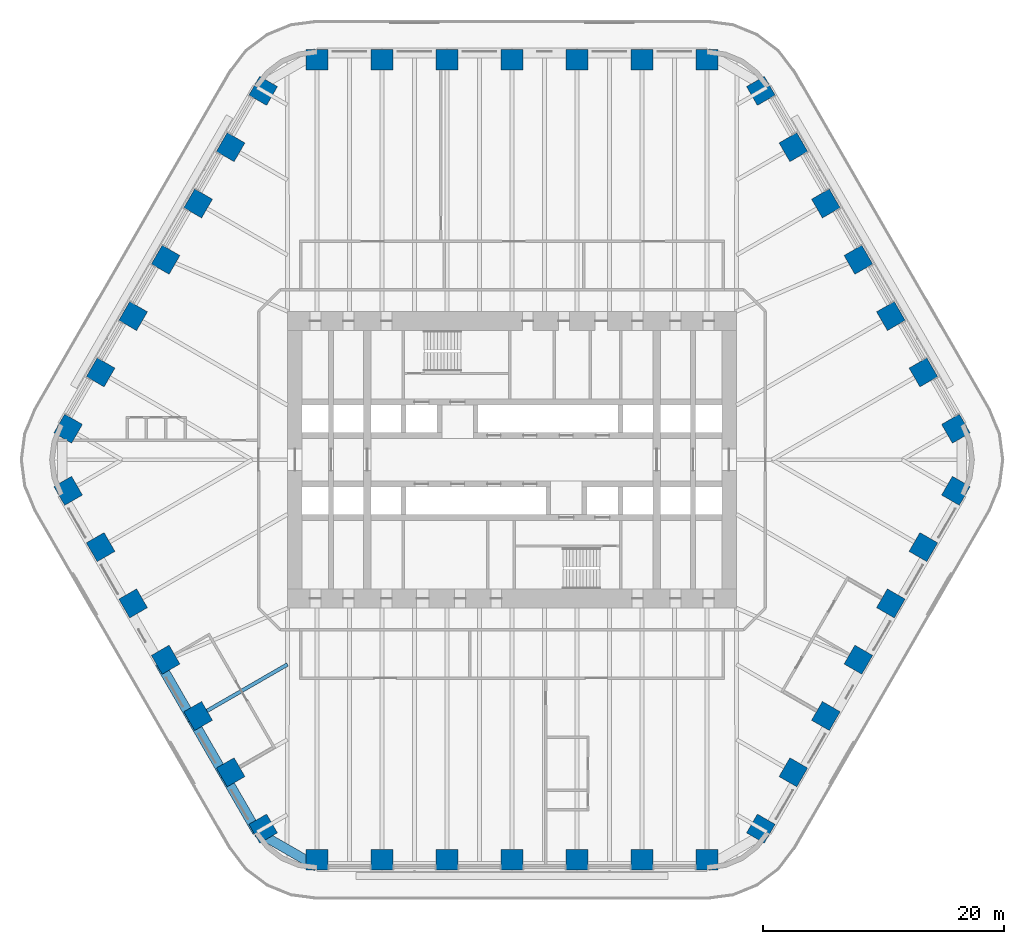
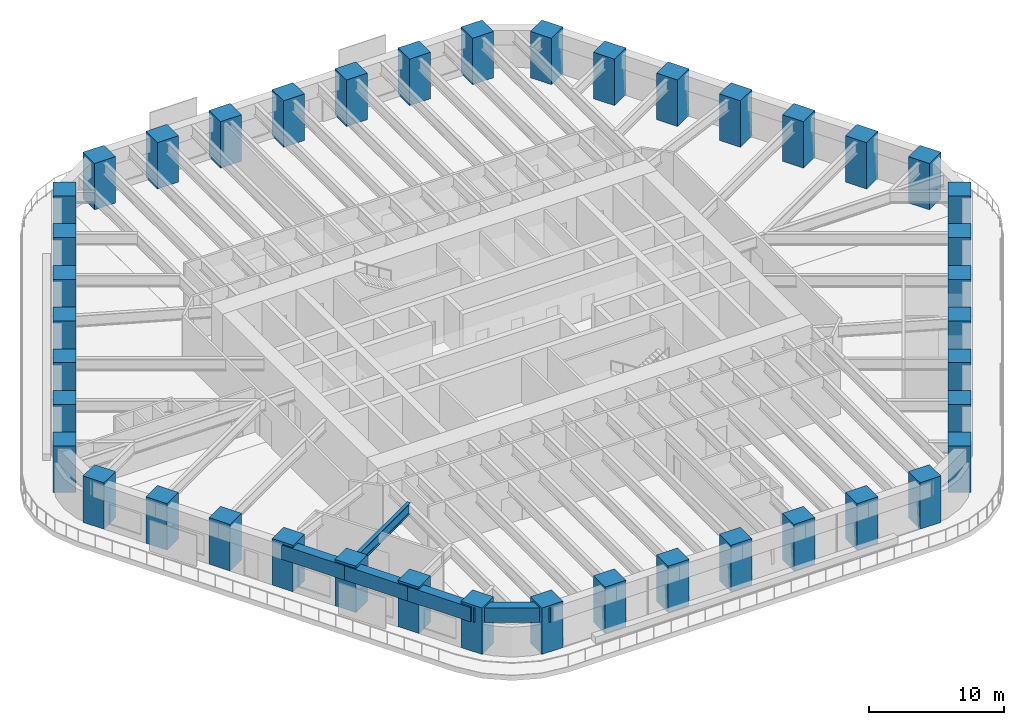
# One storey, part 1 of 23: 42 columns, 5 beams.
"""IFC4 building model written with IfcOpenShell, lengths in metres."""

from ifc_helpers import new_model, si_unit, direction, frame, origin, origin_2d, place, context, subcontext, project, spatial, rectangle, i_section, extrude, material, material_profile, profile_set, type_object, element, save


model = new_model("IFC4")

# Units and contexts
model_context = context("Model", 3, precision=1e-05, world=origin(), true_north=direction((0.0, 1.0)))
body_context = subcontext(model_context, "Body", "Model", "MODEL_VIEW")
ifc_project = project(units=[si_unit("LENGTHUNIT", "METRE"), si_unit("AREAUNIT", "SQUARE_METRE"), si_unit("VOLUMEUNIT", "CUBIC_METRE"), si_unit("PLANEANGLEUNIT", "RADIAN"), si_unit("MASSUNIT", "GRAM", prefix="KILO")], contexts=[model_context])

# Site, building, storey
site_placement = place(None, origin())
site = spatial("IfcSite", under=ifc_project, at=site_placement, CompositionType="ELEMENT")
building_placement = place(site_placement, origin())
building = spatial("IfcBuilding", under=site, at=building_placement, Name="Tarfa Lantern Tower", CompositionType="ELEMENT")
storey_placement = place(building_placement, frame((0.0, 0.0, 86.5)))
storey = spatial("IfcBuildingStorey", under=building, at=storey_placement, Name="L19", CompositionType="ELEMENT", Elevation=86.5)

# Columns
ifc_material_1 = material(Name="Concrete C80/95", Category="concrete")
ifc_material_profile_1 = material_profile(ifc_material_1, rectangle(XDim=1.800048828125, YDim=1.699951171875, at=origin_2d()), Name="RC 1800x1700")
ifc_profile_set_1 = profile_set([ifc_material_profile_1], Name="Concrete C80/95")
column_type = type_object("IfcColumnType", Name="TC4 RC 1800x1700", PredefinedType="COLUMN", material=ifc_profile_set_1)
for number, where, z_axis, x_axis, name in (
    (1, (36.791748046875, 2.574951171875, 0.0), (0.0, 0.0, 1.0), (-0.5, 0.866025403784, 0.0), "Tube column NE0"),
    (2, (34.097412109375, 7.24169921875, 0.0), (0.0, 0.0, 1.0), (-0.5, 0.866025403784, 0.0), "Tube column NE1"),
    (3, (31.403076171875, 11.908447265625, 0.0), (0.0, 0.0, 1.0), (-0.5, 0.866025403784, 0.0), "Tube column NE2"),
    (4, (28.708740234375, 16.574951171875, 0.0), (0.0, 0.0, 1.0), (-0.5, 0.866025403784, 0.0), "Tube column NE3"),
    (5, (26.014404296875, 21.24169921875, 0.0), (0.0, 0.0, 1.0), (-0.5, 0.866025403784, 0.0), "Tube column NE4"),
    (6, (23.320068359375, 25.908447265625, 0.0), (0.0, 0.0, 1.0), (-0.5, 0.866025403784, 0.0), "Tube column NE5"),
    (7, (20.625732421875, 30.574951171875, 0.0), (0.0, 0.0, 1.0), (-0.5, 0.866025403784, 0.0), "Tube column NE6"),
    (8, (16.165771484375, 33.14990234375, 0.0), (0.0, 0.0, 1.0), (-1.0, 0.0, 0.0), "Tube column N0"),
    (9, (10.777099609375, 33.14990234375, 0.0), (0.0, 0.0, 1.0), (-1.0, 0.0, 0.0), "Tube column N1"),
    (10, (5.388671875, 33.14990234375, 0.0), (0.0, 0.0, 1.0), (-1.0, 0.0, 0.0), "Tube column N2"),
    (11, (0.0, 33.14990234375, 0.0), (0.0, 0.0, 1.0), (-1.0, 0.0, 0.0), "Tube column N3"),
    (12, (-5.388671875, 33.14990234375, 0.0), (0.0, 0.0, 1.0), (-1.0, 0.0, 0.0), "Tube column N4"),
    (13, (-10.777099609375, 33.14990234375, 0.0), (0.0, 0.0, 1.0), (-1.0, 0.0, 0.0), "Tube column N5"),
    (14, (-16.165771484375, 33.14990234375, 0.0), (0.0, 0.0, 1.0), (-1.0, 0.0, 0.0), "Tube column N6"),
    (15, (-20.625732421875, 30.574951171875, 0.0), (0.0, 0.0, 1.0), (-0.5, -0.866025403784, 0.0), "Tube column NW0"),
    (16, (-23.320068359375, 25.908447265625, 0.0), (0.0, 0.0, 1.0), (-0.5, -0.866025403784, 0.0), "Tube column NW1"),
    (17, (-26.014404296875, 21.24169921875, 0.0), (0.0, 0.0, 1.0), (-0.5, -0.866025403784, 0.0), "Tube column NW2"),
    (18, (-28.708740234375, 16.574951171875, 0.0), (0.0, 0.0, 1.0), (-0.5, -0.866025403784, 0.0), "Tube column NW3"),
    (19, (-31.403076171875, 11.908447265625, 0.0), (0.0, 0.0, 1.0), (-0.5, -0.866025403784, 0.0), "Tube column NW4"),
    (20, (-34.097412109375, 7.24169921875, 0.0), (0.0, 0.0, 1.0), (-0.5, -0.866025403784, 0.0), "Tube column NW5"),
    (21, (-36.791748046875, 2.574951171875, 0.0), (0.0, 0.0, 1.0), (-0.5, -0.866025403784, 0.0), "Tube column NW6"),
    (22, (-36.791748046875, -2.574951171875, 0.0), (0.0, 0.0, 1.0), (0.5, -0.866025403784, 0.0), "Tube column SW0"),
    (23, (-34.097412109375, -7.24169921875, 0.0), (0.0, 0.0, 1.0), (0.5, -0.866025403784, 0.0), "Tube column SW1"),
    (24, (-31.403076171875, -11.908447265625, 0.0), (0.0, 0.0, 1.0), (0.5, -0.866025403784, 0.0), "Tube column SW2"),
    (25, (-28.708740234375, -16.574951171875, 0.0), (0.0, 0.0, 1.0), (0.5, -0.866025403784, 0.0), "Tube column SW3"),
    (26, (-26.014404296875, -21.24169921875, 0.0), (0.0, 0.0, 1.0), (0.5, -0.866025403784, 0.0), "Tube column SW4"),
    (27, (-23.320068359375, -25.908447265625, 0.0), (0.0, 0.0, 1.0), (0.5, -0.866025403784, 0.0), "Tube column SW5"),
    (28, (-20.625732421875, -30.574951171875, 0.0), (0.0, 0.0, 1.0), (0.5, -0.866025403784, 0.0), "Tube column SW6"),
    (29, (-16.165771484375, -33.14990234375, 0.0), (0.0, 0.0, 1.0), (1.0, 0.0, 0.0), "Tube column S0"),
    (30, (-10.777099609375, -33.14990234375, 0.0), (0.0, 0.0, 1.0), (1.0, 0.0, 0.0), "Tube column S1"),
    (31, (-5.388671875, -33.14990234375, 0.0), (0.0, 0.0, 1.0), (1.0, 0.0, 0.0), "Tube column S2"),
    (32, (0.0, -33.14990234375, 0.0), (0.0, 0.0, 1.0), (1.0, 0.0, 0.0), "Tube column S3"),
    (33, (5.388671875, -33.14990234375, 0.0), (0.0, 0.0, 1.0), (1.0, 0.0, 0.0), "Tube column S4"),
    (34, (10.777099609375, -33.14990234375, 0.0), (0.0, 0.0, 1.0), (1.0, 0.0, 0.0), "Tube column S5"),
    (35, (16.165771484375, -33.14990234375, 0.0), (0.0, 0.0, 1.0), (1.0, 0.0, 0.0), "Tube column S6"),
    (36, (20.625732421875, -30.574951171875, 0.0), (0.0, 0.0, 1.0), (0.5, 0.866025403784, 0.0), "Tube column SE0"),
    (37, (23.320068359375, -25.908447265625, 0.0), (0.0, 0.0, 1.0), (0.5, 0.866025403784, 0.0), "Tube column SE1"),
    (38, (26.014404296875, -21.24169921875, 0.0), (0.0, 0.0, 1.0), (0.5, 0.866025403784, 0.0), "Tube column SE2"),
    (39, (28.708740234375, -16.574951171875, 0.0), (0.0, 0.0, 1.0), (0.5, 0.866025403784, 0.0), "Tube column SE3"),
    (40, (31.403076171875, -11.908447265625, 0.0), (0.0, 0.0, 1.0), (0.5, 0.866025403784, 0.0), "Tube column SE4"),
    (41, (34.097412109375, -7.24169921875, 0.0), (0.0, 0.0, 1.0), (0.5, 0.866025403784, 0.0), "Tube column SE5"),
    (42, (36.791748046875, -2.574951171875, 0.0), (0.0, 0.0, 1.0), (0.5, 0.866025403784, 0.0), "Tube column SE6"),
):
    element("IfcColumn", number, at=place(storey_placement, frame(where, z_axis=z_axis, x_axis=x_axis)), inside=storey, type_object=column_type, Name=name, PredefinedType="COLUMN", context=body_context, shape_type="SweptSolid", body=[
        extrude(rectangle(XDim=1.800048828125, YDim=1.699951171875, at=origin_2d()), origin(), (0.0, 0.0, 1.0), 4.199951171875),
    ])

# Beams
ifc_material_profile_2 = material_profile(ifc_material_1, rectangle(XDim=0.800048828125, YDim=1.300048828125, at=origin_2d()), Name="RC 800x1300")
ifc_profile_set_2 = profile_set([ifc_material_profile_2], Name="Concrete C80/95")
beam_type_1 = type_object("IfcBeamType", Name="EB1 RC 800x1300", PredefinedType="SPANDREL", material=ifc_profile_set_2)
beam_1_placement = place(storey_placement, frame((-29.202392578125, -16.860107421875, 3.35009765625), z_axis=(0.500017906299, -0.866015065331, 0.0), x_axis=(0.866015065331, 0.500017906299, 0.0)))
element("IfcBeam", 43, at=beam_1_placement, inside=storey, type_object=beam_type_1, Name="Edge beam SW3", PredefinedType="SPANDREL", context=body_context, shape_type="SweptSolid", body=[
    extrude(rectangle(XDim=0.800048828125, YDim=1.300048828125, at=origin_2d()), origin(), (0.0, 0.0, 1.0), 5.388427734375),
])
for number, where, z_axis, x_axis, name in (
    (44, (-26.508056640625, -21.526611328125, 3.35009765625), (0.499998287579, -0.866026392449, 0.0), (0.866026392449, 0.499998287579, 0.0), "Edge beam SW4"),
    (45, (-23.813720703125, -26.193359375, 3.35009765625), (0.499998287579, -0.866026392449, 0.0), (0.866026392449, 0.499998287579, 0.0), "Edge beam SW5"),
):
    element("IfcBeam", number, at=place(storey_placement, frame(where, z_axis=z_axis, x_axis=x_axis)), inside=storey, type_object=beam_type_1, Name=name, PredefinedType="SPANDREL", context=body_context, shape_type="SweptSolid", body=[
        extrude(rectangle(XDim=0.800048828125, YDim=1.300048828125, at=origin_2d()), origin(), (0.0, 0.0, 1.0), 5.388671875),
    ])
beam_2_placement = place(storey_placement, frame((-21.119384765625, -30.860107421875, 3.35009765625), z_axis=(0.866033479681, -0.499986011877, 0.0), x_axis=(0.499986011877, 0.866033479681, 0.0)))
element("IfcBeam", 46, at=beam_2_placement, inside=storey, type_object=beam_type_1, Name="Edge beam SW6", PredefinedType="SPANDREL", context=body_context, shape_type="SweptSolid", body=[
    extrude(rectangle(XDim=0.800048828125, YDim=1.300048828125, at=origin_2d()), origin(), (0.0, 0.0, 1.0), 5.719970703125),
])
ifc_material_2 = material(Name="Steel S460M", Category="steel")
ifc_material_profile_3 = material_profile(ifc_material_2, i_section(OverallWidth=0.302001953125, OverallDepth=1.008056640625, WebThickness=0.02099609375, FlangeThickness=0.0400390625, FilletRadius=0.030029296875, at=origin_2d()), Name="UB1016x305x349")
ifc_profile_set_3 = profile_set([ifc_material_profile_3], Name="Steel S460M")
beam_type_2 = type_object("IfcBeamType", Name="UB1016x305x349", PredefinedType="BEAM", material=ifc_profile_set_3)
beam_3_placement = place(storey_placement, frame((-26.508056640625, -21.526611328125, 3.495849609375), z_axis=(0.866035355799, 0.49998276221, 0.0), x_axis=(-0.49998276221, 0.866035355799, 0.0)))
element("IfcBeam", 47, at=beam_3_placement, inside=storey, type_object=beam_type_2, Name="Floor beam SW4", PredefinedType="BEAM", context=body_context, shape_type="SweptSolid", body=[
    extrude(i_section(OverallWidth=0.302001953125, OverallDepth=1.008056640625, WebThickness=0.02099609375, FlangeThickness=0.0400390625, FilletRadius=0.030029296875, at=origin_2d()), origin(), (0.0, 0.0, 1.0), 9.119873046875),
])

save(model, "model.ifc")
